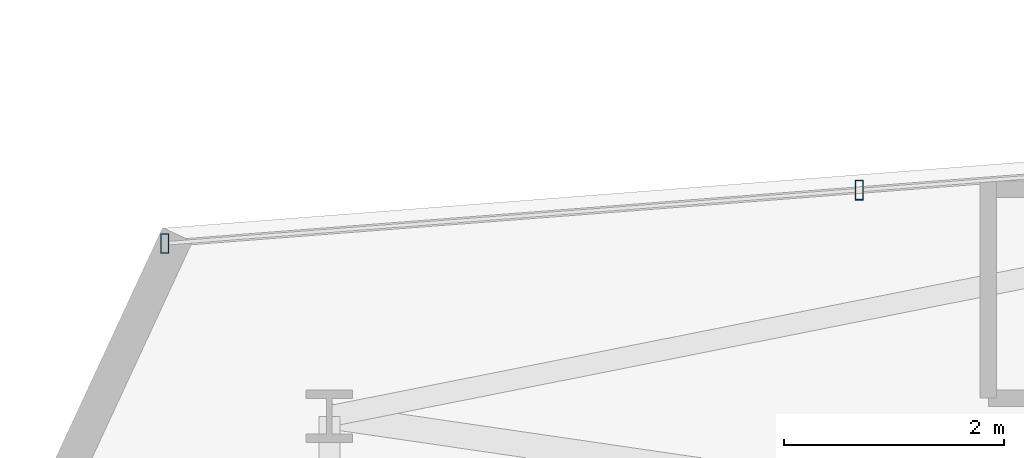
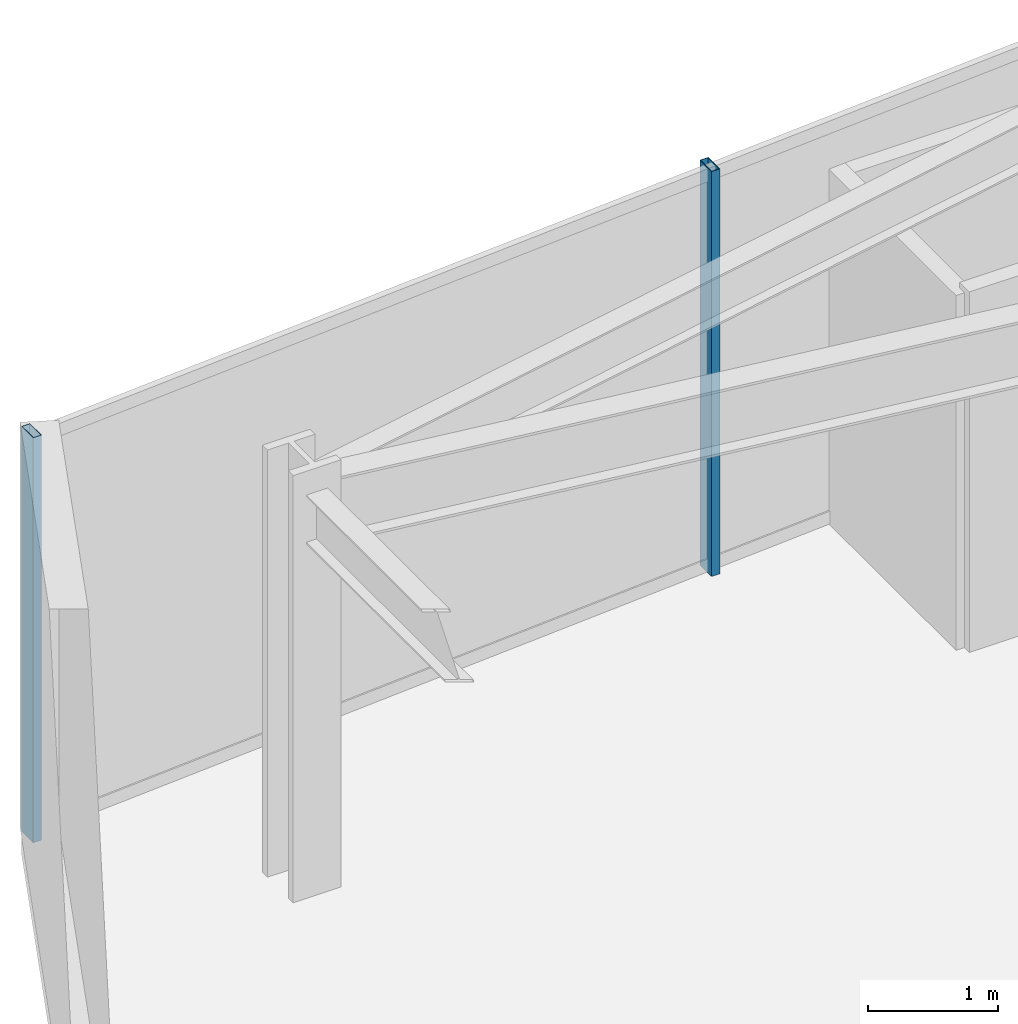
# One storey, part 8 of 29: 2 members, 1 element without a shape of its own.
"""IFC4 building model written with IfcOpenShell, lengths in metres."""

from ifc_helpers import new_model, si_unit, direction, frame, origin, origin_2d, place, context, subcontext, project, spatial, hollow_rectangle, extrude, material, layer, layer_set, material_profile, profile_set, type_object, element, aggregate, save


model = new_model("IFC4")

# Units and contexts
model_context = context("Model", 3, precision=1e-05, world=origin(), true_north=direction((0.0, 1.0)))
body_context = subcontext(model_context, "Body", "Model", "MODEL_VIEW")
ifc_project = project(units=[si_unit("LENGTHUNIT", "METRE"), si_unit("AREAUNIT", "SQUARE_METRE"), si_unit("VOLUMEUNIT", "CUBIC_METRE"), si_unit("PLANEANGLEUNIT", "RADIAN"), si_unit("MASSUNIT", "GRAM", prefix="KILO")], contexts=[model_context])

# Site, building, storey
site_placement = place(None, origin())
site = spatial("IfcSite", under=ifc_project, at=site_placement, CompositionType="ELEMENT")
building_placement = place(site_placement, origin())
building = spatial("IfcBuilding", under=site, at=building_placement, Name="Veymaron Broadcast Tower", CompositionType="ELEMENT")
storey_placement = place(building_placement, frame((0.0, 0.0, 41.85009765625)))
storey = spatial("IfcBuildingStorey", under=building, at=storey_placement, Name="L08", CompositionType="ELEMENT", Elevation=41.85009765625)

# Curtain wall, members
ifc_material_1 = material(Name="Anodised aluminium AA 6063-T6 and laminated low-E dark glass", Category="aluminium")
ifc_layer = layer(ifc_material_1, 0.179931640625)
ifc_layer_set = layer_set([ifc_layer], Name="Anodised aluminium AA 6063-T6 and laminated low-E dark glass")
curtain_wall_type = type_object("IfcCurtainWallType", Name="CW-SYS-02", PredefinedType="NOTDEFINED", material=ifc_layer_set)
curtain_wall_placement = place(storey_placement, origin())
curtain_wall = element("IfcCurtainWall", 1, at=curtain_wall_placement, inside=storey, type_object=curtain_wall_type, Name="L08 dark-glass curtain wall CW-L08-E11-1", PredefinedType="NOTDEFINED")
ifc_material_2 = material(Name="Anodised aluminium AA 6063-T6", Category="aluminium")
ifc_material_profile = material_profile(ifc_material_2, hollow_rectangle(XDim=0.074951171875, YDim=0.179931640625, WallThickness=0.0048828125, at=origin_2d()), Name="AL180X75X5")
ifc_profile_set = profile_set([ifc_material_profile], Name="Anodised aluminium AA 6063-T6")
member_type = type_object("IfcMemberType", Name="CW-MUL-02", PredefinedType="MULLION", material=ifc_profile_set)
member_1_placement = place(storey_placement, frame((12.82666015625, 29.441650390625, 0.0), z_axis=(0.0, 0.0, 1.0), x_axis=(1.0, 0.0, 0.0)))
member_1 = element("IfcMember", 2, at=member_1_placement, type_object=member_type, Name="CW-L08-E11-1 mullion 2", PredefinedType="MULLION", context=body_context, shape_type="SweptSolid", body=[
    extrude(hollow_rectangle(XDim=0.074951171875, YDim=0.179931640625, WallThickness=0.0048828125, at=origin_2d()), origin(), (0.0, 0.0, 1.0), 3.809814453125),
])
member_2_placement = place(storey_placement, frame((6.5107421875, 28.95654296875, 0.0), z_axis=(0.0, 0.0, 1.0), x_axis=(1.0, 0.0, 0.0)))
member_2 = element("IfcMember", 3, at=member_2_placement, type_object=member_type, Name="CW-L08-E11-1 mullion 3", PredefinedType="MULLION", context=body_context, shape_type="SweptSolid", body=[
    extrude(hollow_rectangle(XDim=0.074951171875, YDim=0.179931640625, WallThickness=0.0048828125, at=origin_2d()), origin(), (0.0, 0.0, 1.0), 3.809814453125),
])
aggregate(curtain_wall, [member_1, member_2])

save(model, "model.ifc")
